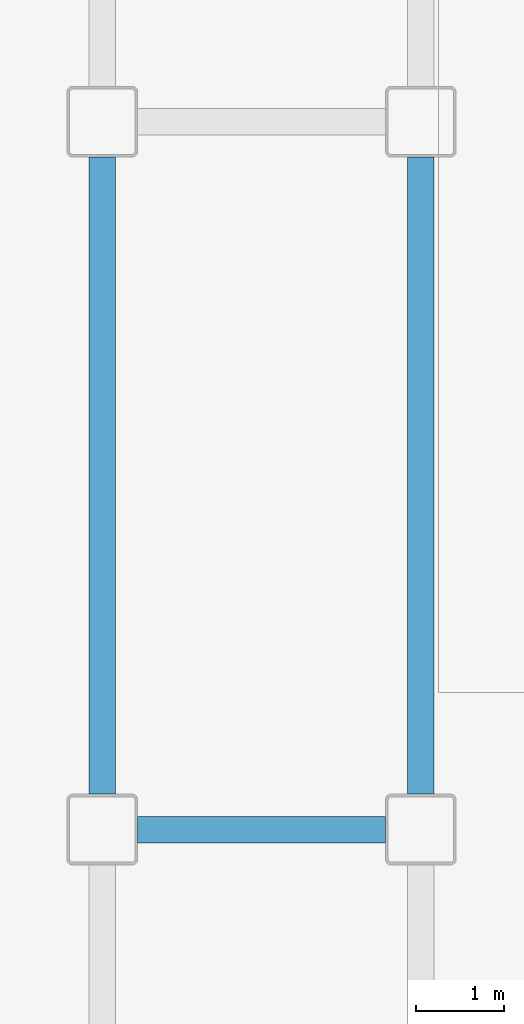
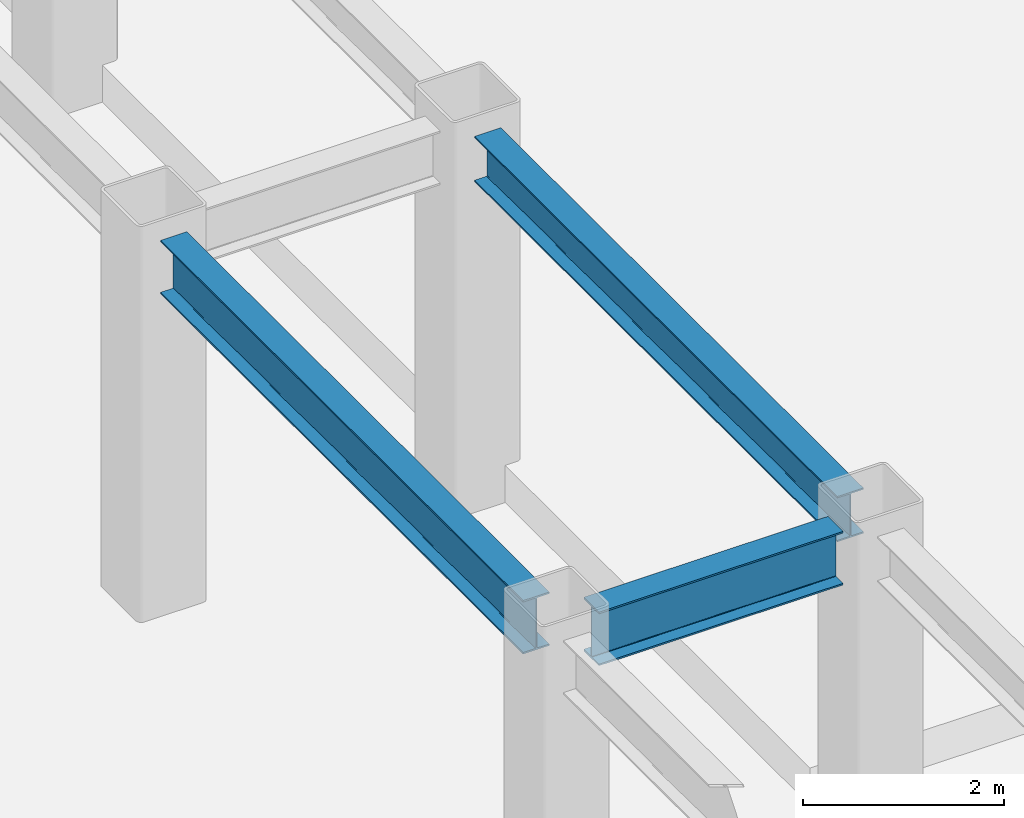
# One storey, part 26 of 154: 3 beams.
"""IFC4 building model written with IfcOpenShell, lengths in metres."""

from ifc_helpers import new_model, si_unit, direction, frame, origin, origin_2d, place, context, subcontext, project, spatial, i_section, extrude, material, material_profile, profile_set, type_object, element, save


model = new_model("IFC4")

# Units and contexts
model_context = context("Model", 3, precision=1e-05, world=origin(), true_north=direction((0.0, 1.0)))
body_context = subcontext(model_context, "Body", "Model", "MODEL_VIEW")
ifc_project = project(units=[si_unit("LENGTHUNIT", "METRE"), si_unit("AREAUNIT", "SQUARE_METRE"), si_unit("VOLUMEUNIT", "CUBIC_METRE"), si_unit("PLANEANGLEUNIT", "RADIAN"), si_unit("MASSUNIT", "GRAM", prefix="KILO")], contexts=[model_context])

# Site, building, storey
site_placement = place(None, origin())
site = spatial("IfcSite", under=ifc_project, at=site_placement, CompositionType="ELEMENT")
building_placement = place(site_placement, origin())
building = spatial("IfcBuilding", under=site, at=building_placement, Name="Kazehara Bluff Congress Hotel", CompositionType="ELEMENT")
storey_placement = place(building_placement, frame((0.0, 0.0, 10.199951171875)))
storey = spatial("IfcBuildingStorey", under=building, at=storey_placement, Name="L02", CompositionType="ELEMENT", Elevation=10.199951171875)

# Beams
ifc_material_1 = material(Name="Steel SN490B", Category="steel")
ifc_material_profile_1 = material_profile(ifc_material_1, i_section(OverallWidth=0.300048828125, OverallDepth=0.64990234375, WebThickness=0.011962890625, FlangeThickness=0.02001953125, FilletRadius=0.012939453125, at=origin_2d()))
ifc_profile_set_1 = profile_set([ifc_material_profile_1], Name="Steel SN490B")
beam_type_1 = type_object("IfcBeamType", Name="TP-G-03", PredefinedType="BEAM", material=ifc_profile_set_1)
beam_1_placement = place(storey_placement, frame((4.800048828125, 56.85009765625, 4.235107421875), z_axis=(0.0, 1.0, 0.0), x_axis=(-1.0, 0.0, 0.0)))
element("IfcBeam", 1, at=beam_1_placement, inside=storey, type_object=beam_type_1, Name="L02 girder G-03 2", PredefinedType="BEAM", context=body_context, shape_type="SweptSolid", body=[
    extrude(i_section(OverallWidth=0.300048828125, OverallDepth=0.64990234375, WebThickness=0.011962890625, FlangeThickness=0.02001953125, FilletRadius=0.012939453125, at=origin_2d()), origin(), (0.0, 0.0, 1.0), 7.199951171875),
])
beam_2_placement = place(storey_placement, frame((5.199951171875, 56.449951171875, 4.235107421875), z_axis=(1.0, 0.0, 0.0), x_axis=(0.0, 1.0, 0.0)))
element("IfcBeam", 2, at=beam_2_placement, inside=storey, type_object=beam_type_1, Name="L02 girder G-03 31", PredefinedType="BEAM", context=body_context, shape_type="SweptSolid", body=[
    extrude(i_section(OverallWidth=0.300048828125, OverallDepth=0.64990234375, WebThickness=0.011962890625, FlangeThickness=0.02001953125, FilletRadius=0.012939453125, at=origin_2d()), origin(), (0.0, 0.0, 1.0), 2.800048828125),
])
ifc_material_2 = material(Name="Steel SN490B", Category="steel")
ifc_material_profile_2 = material_profile(ifc_material_2, i_section(OverallWidth=0.300048828125, OverallDepth=0.550048828125, WebThickness=0.010986328125, FlangeThickness=0.01806640625, FilletRadius=0.012939453125, at=origin_2d()))
ifc_profile_set_2 = profile_set([ifc_material_profile_2], Name="Steel SN490B")
beam_type_2 = type_object("IfcBeamType", Name="TP-SP-01", PredefinedType="SPANDREL", material=ifc_profile_set_2)
beam_3_placement = place(storey_placement, frame((8.39990234375, 56.85009765625, 4.28515625), z_axis=(0.0, 1.0, 0.0), x_axis=(-1.0, 0.0, 0.0)))
element("IfcBeam", 3, at=beam_3_placement, inside=storey, type_object=beam_type_2, Name="L02 girder SP-01 10", PredefinedType="SPANDREL", context=body_context, shape_type="SweptSolid", body=[
    extrude(i_section(OverallWidth=0.300048828125, OverallDepth=0.550048828125, WebThickness=0.010986328125, FlangeThickness=0.01806640625, FilletRadius=0.012939453125, at=origin_2d()), origin(), (0.0, 0.0, 1.0), 7.199951171875),
])

save(model, "model.ifc")
